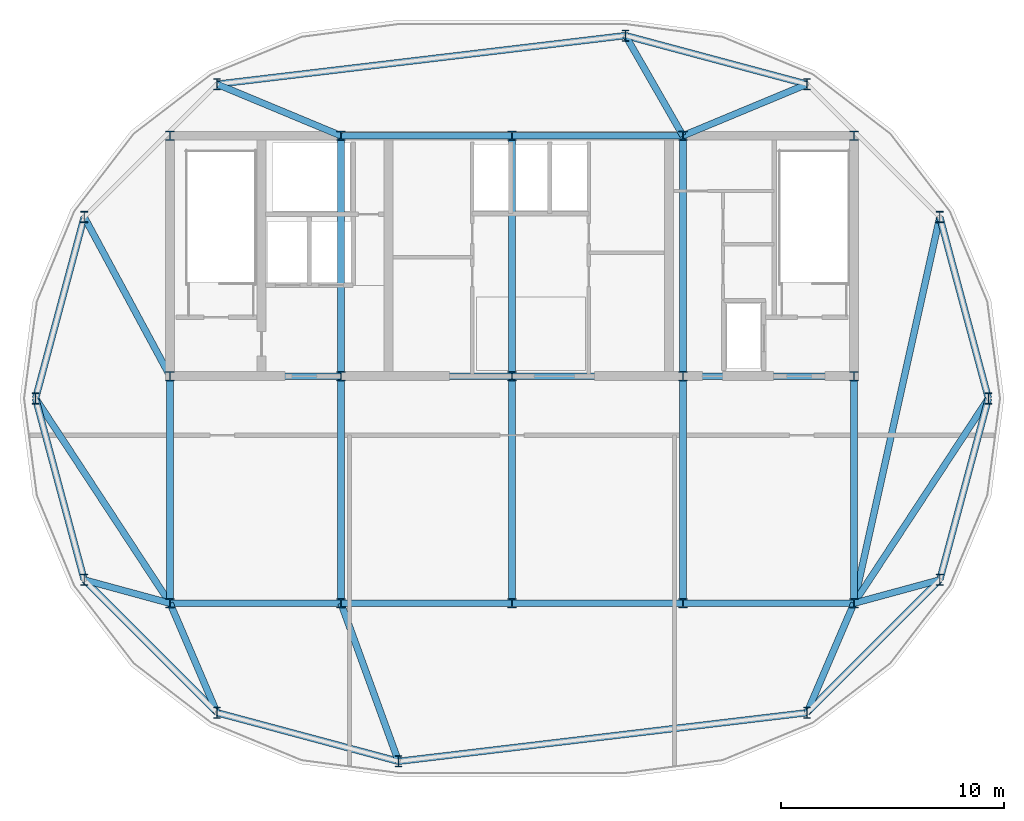
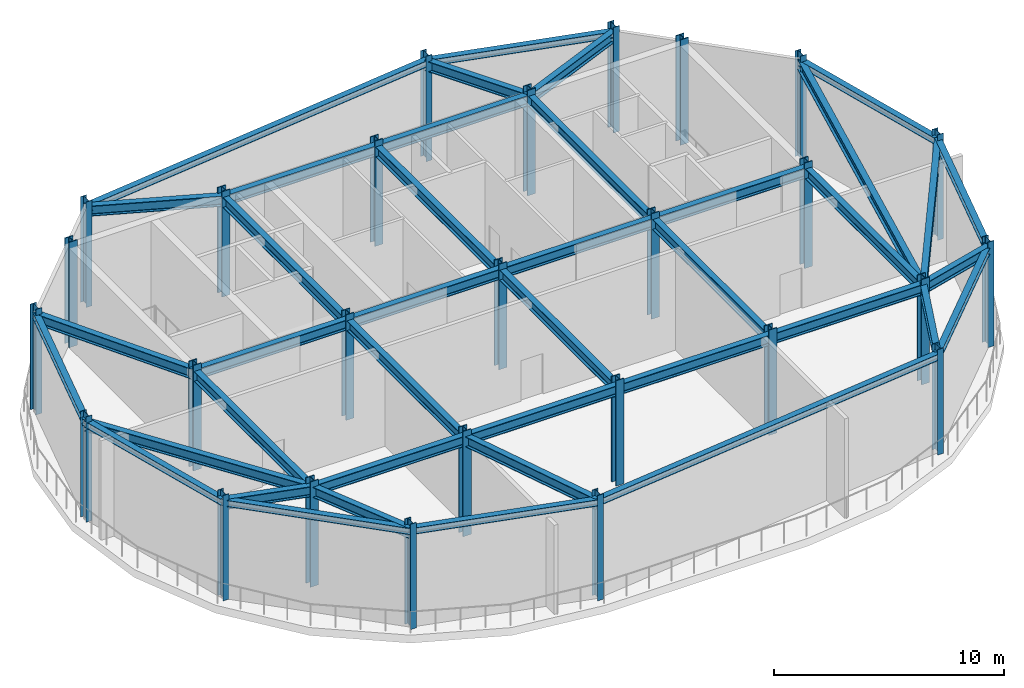
# One storey, part 1 of 5: 40 beams, 27 columns.
"""IFC4 building model written with IfcOpenShell, lengths in metres."""

from ifc_helpers import new_model, si_unit, direction, frame, origin, origin_2d, place, context, subcontext, project, spatial, i_section, extrude, material, material_profile, profile_set, type_object, element, save


model = new_model("IFC4")

# Units and contexts
model_context = context("Model", 3, precision=1e-05, world=origin(), true_north=direction((0.0, 1.0)))
body_context = subcontext(model_context, "Body", "Model", "MODEL_VIEW")
ifc_project = project(units=[si_unit("LENGTHUNIT", "METRE"), si_unit("AREAUNIT", "SQUARE_METRE"), si_unit("VOLUMEUNIT", "CUBIC_METRE"), si_unit("PLANEANGLEUNIT", "RADIAN"), si_unit("MASSUNIT", "GRAM", prefix="KILO")], contexts=[model_context])

# Site, building, storey
site_placement = place(None, origin())
site = spatial("IfcSite", under=ifc_project, at=site_placement, CompositionType="ELEMENT")
building_placement = place(site_placement, origin())
building = spatial("IfcBuilding", under=site, at=building_placement, Name="Yelkora Congress Tower", CompositionType="ELEMENT")
storey_placement = place(building_placement, frame((0.0, 0.0, 304.39990234375)))
storey = spatial("IfcBuildingStorey", under=building, at=storey_placement, Name="L85", CompositionType="ELEMENT", Elevation=304.39990234375)

# Columns
ifc_material_1 = material(Name="Steel S460M", Category="steel")
ifc_material_profile_1 = material_profile(ifc_material_1, i_section(OverallWidth=0.406005859375, OverallDepth=0.416015625, WebThickness=0.02978515625, FlangeThickness=0.048095703125, FilletRadius=0.014892578125, at=origin_2d()), Name="HD 400x382")
ifc_profile_set_1 = profile_set([ifc_material_profile_1], Name="Steel S460M")
column_type_1 = type_object("IfcColumnType", Name="COL-HD-382", PredefinedType="COLUMN", material=ifc_profile_set_1)
for number, where, z_axis, x_axis, name in (
    (1, (23.0400390625, 35.39990234375, 0.0), (0.0, 0.0, 1.0), (1.0, 0.0, 0.0), "L85 Mega Column MC-S1"),
    (2, (23.0400390625, 46.199951171875, 0.0), (0.0, 0.0, 1.0), (1.0, 0.0, 0.0), "L85 Mega Column MC-N1"),
    (3, (23.0400390625, 25.199951171875, 0.0), (0.0, 0.0, 1.0), (1.0, 0.0, 0.0), "L85 Mega Column MC-D1"),
    (4, (30.719970703125, 35.39990234375, 0.0), (0.0, 0.0, 1.0), (1.0, 0.0, 0.0), "L85 Mega Column MC-S2"),
    (5, (30.719970703125, 46.199951171875, 0.0), (0.0, 0.0, 1.0), (1.0, 0.0, 0.0), "L85 Mega Column MC-N2"),
    (6, (30.719970703125, 25.199951171875, 0.0), (0.0, 0.0, 1.0), (1.0, 0.0, 0.0), "L85 Mega Column MC-D2"),
    (7, (38.39990234375, 35.39990234375, 0.0), (0.0, 0.0, 1.0), (1.0, 0.0, 0.0), "L85 Mega Column MC-S3"),
    (8, (38.39990234375, 46.199951171875, 0.0), (0.0, 0.0, 1.0), (1.0, 0.0, 0.0), "L85 Mega Column MC-N3"),
    (9, (38.39990234375, 25.199951171875, 0.0), (0.0, 0.0, 1.0), (1.0, 0.0, 0.0), "L85 Mega Column MC-D3"),
    (10, (46.080078125, 35.39990234375, 0.0), (0.0, 0.0, 1.0), (1.0, 0.0, 0.0), "L85 Mega Column MC-S4"),
    (11, (46.080078125, 46.199951171875, 0.0), (0.0, 0.0, 1.0), (1.0, 0.0, 0.0), "L85 Mega Column MC-N4"),
    (12, (46.080078125, 25.199951171875, 0.0), (0.0, 0.0, 1.0), (1.0, 0.0, 0.0), "L85 Mega Column MC-D4"),
    (13, (53.760009765625, 35.39990234375, 0.0), (0.0, 0.0, 1.0), (1.0, 0.0, 0.0), "L85 Mega Column MC-S5"),
    (14, (53.760009765625, 46.199951171875, 0.0), (0.0, 0.0, 1.0), (1.0, 0.0, 0.0), "L85 Mega Column MC-N5"),
    (15, (53.760009765625, 25.199951171875, 0.0), (0.0, 0.0, 1.0), (1.0, 0.0, 0.0), "L85 Mega Column MC-D5"),
):
    element("IfcColumn", number, at=place(storey_placement, frame(where, z_axis=z_axis, x_axis=x_axis)), inside=storey, type_object=column_type_1, Name=name, PredefinedType="COLUMN", context=body_context, shape_type="SweptSolid", body=[
        extrude(i_section(OverallWidth=0.406005859375, OverallDepth=0.416015625, WebThickness=0.02978515625, FlangeThickness=0.048095703125, FilletRadius=0.014892578125, at=origin_2d()), origin(), (0.0, 0.0, 1.0), 5.60009765625),
    ])
ifc_material_2 = material(Name="Steel S355J2", Category="steel")
ifc_material_profile_2 = material_profile(ifc_material_2, i_section(OverallWidth=0.300048828125, OverallDepth=0.5, WebThickness=0.014404296875, FlangeThickness=0.028076171875, FilletRadius=0.027099609375, at=origin_2d()), Name="HEB 500")
ifc_profile_set_2 = profile_set([ifc_material_profile_2], Name="Steel S355J2")
column_type_2 = type_object("IfcColumnType", Name="COL-HEB-500-EXT", PredefinedType="COLUMN", material=ifc_profile_set_2)
for number, where, z_axis, x_axis, name in (
    (16, (59.800048828125, 34.39990234375, 0.0), (0.0, 0.0, 1.0), (1.0, 0.0, 0.0), "L85 Perimeter Column CRN-C01"),
    (17, (57.6162109375, 42.550048828125, 0.0), (0.0, 0.0, 1.0), (1.0, 0.0, 0.0), "L85 Perimeter Column CRN-C02"),
    (18, (51.64990234375, 48.51611328125, 0.0), (0.0, 0.0, 1.0), (1.0, 0.0, 0.0), "L85 Perimeter Column CRN-C03"),
    (19, (43.5, 50.699951171875, 0.0), (0.0, 0.0, 1.0), (1.0, 0.0, 0.0), "L85 Perimeter Column CRN-C04"),
    (20, (25.14990234375, 48.51611328125, 0.0), (0.0, 0.0, 1.0), (1.0, 0.0, 0.0), "L85 Perimeter Column CRN-C05"),
    (21, (19.183837890625, 42.550048828125, 0.0), (0.0, 0.0, 1.0), (1.0, 0.0, 0.0), "L85 Perimeter Column CRN-C06"),
    (22, (17.0, 34.39990234375, 0.0), (0.0, 0.0, 1.0), (1.0, 0.0, 0.0), "L85 Perimeter Column CRN-C07"),
    (23, (19.183837890625, 26.25, 0.0), (0.0, 0.0, 1.0), (1.0, 0.0, 0.0), "L85 Perimeter Column CRN-C08"),
    (24, (25.14990234375, 20.28369140625, 0.0), (0.0, 0.0, 1.0), (1.0, 0.0, 0.0), "L85 Perimeter Column CRN-C09"),
    (25, (33.300048828125, 18.10009765625, 0.0), (0.0, 0.0, 1.0), (1.0, 0.0, 0.0), "L85 Perimeter Column CRN-C10"),
    (26, (51.64990234375, 20.28369140625, 0.0), (0.0, 0.0, 1.0), (1.0, 0.0, 0.0), "L85 Perimeter Column CRN-C11"),
    (27, (57.6162109375, 26.25, 0.0), (0.0, 0.0, 1.0), (1.0, 0.0, 0.0), "L85 Perimeter Column CRN-C12"),
):
    element("IfcColumn", number, at=place(storey_placement, frame(where, z_axis=z_axis, x_axis=x_axis)), inside=storey, type_object=column_type_2, Name=name, PredefinedType="COLUMN", context=body_context, shape_type="SweptSolid", body=[
        extrude(i_section(OverallWidth=0.300048828125, OverallDepth=0.5, WebThickness=0.014404296875, FlangeThickness=0.028076171875, FilletRadius=0.027099609375, at=origin_2d()), origin(), (0.0, 0.0, 1.0), 5.60009765625),
    ])

# Beams
ifc_material_profile_3 = material_profile(ifc_material_2, i_section(OverallWidth=0.300048828125, OverallDepth=0.550048828125, WebThickness=0.014892578125, FlangeThickness=0.029052734375, FilletRadius=0.027099609375, at=origin_2d()), Name="HEB 550")
ifc_profile_set_3 = profile_set([ifc_material_profile_3], Name="Steel S355J2")
beam_type_1 = type_object("IfcBeamType", Name="BM-GIRD-HEB550", PredefinedType="BEAM", material=ifc_profile_set_3)
for number, where, z_axis, x_axis, name in (
    (28, (23.0400390625, 25.199951171875, 5.005126953125), (1.0, 0.0, 0.0), (0.0, 1.0, 0.0), "L85 Spine Grid D Girder 1"),
    (29, (30.719970703125, 25.199951171875, 5.005126953125), (1.0, 0.0, 0.0), (0.0, 1.0, 0.0), "L85 Spine Grid D Girder 2"),
):
    element("IfcBeam", number, at=place(storey_placement, frame(where, z_axis=z_axis, x_axis=x_axis)), inside=storey, type_object=beam_type_1, Name=name, PredefinedType="BEAM", context=body_context, shape_type="SweptSolid", body=[
        extrude(i_section(OverallWidth=0.300048828125, OverallDepth=0.550048828125, WebThickness=0.014892578125, FlangeThickness=0.029052734375, FilletRadius=0.027099609375, at=origin_2d()), origin(), (0.0, 0.0, 1.0), 7.679931640625),
    ])
beam_1_placement = place(storey_placement, frame((38.39990234375, 25.199951171875, 5.005126953125), z_axis=(1.0, 0.0, 0.0), x_axis=(0.0, 1.0, 0.0)))
element("IfcBeam", 30, at=beam_1_placement, inside=storey, type_object=beam_type_1, Name="L85 Spine Grid D Girder 3", PredefinedType="BEAM", context=body_context, shape_type="SweptSolid", body=[
    extrude(i_section(OverallWidth=0.300048828125, OverallDepth=0.550048828125, WebThickness=0.014892578125, FlangeThickness=0.029052734375, FilletRadius=0.027099609375, at=origin_2d()), origin(), (0.0, 0.0, 1.0), 7.68017578125),
])
for number, where, z_axis, x_axis, name in (
    (31, (46.080078125, 25.199951171875, 5.005126953125), (1.0, 0.0, 0.0), (0.0, 1.0, 0.0), "L85 Spine Grid D Girder 4"),
    (32, (30.719970703125, 46.199951171875, 5.005126953125), (1.0, 0.0, 0.0), (0.0, 1.0, 0.0), "L85 Core North Girder 2"),
):
    element("IfcBeam", number, at=place(storey_placement, frame(where, z_axis=z_axis, x_axis=x_axis)), inside=storey, type_object=beam_type_1, Name=name, PredefinedType="BEAM", context=body_context, shape_type="SweptSolid", body=[
        extrude(i_section(OverallWidth=0.300048828125, OverallDepth=0.550048828125, WebThickness=0.014892578125, FlangeThickness=0.029052734375, FilletRadius=0.027099609375, at=origin_2d()), origin(), (0.0, 0.0, 1.0), 7.679931640625),
    ])
beam_2_placement = place(storey_placement, frame((38.39990234375, 46.199951171875, 5.005126953125), z_axis=(1.0, 0.0, 0.0), x_axis=(0.0, 1.0, 0.0)))
element("IfcBeam", 33, at=beam_2_placement, inside=storey, type_object=beam_type_1, Name="L85 Core North Girder 3", PredefinedType="BEAM", context=body_context, shape_type="SweptSolid", body=[
    extrude(i_section(OverallWidth=0.300048828125, OverallDepth=0.550048828125, WebThickness=0.014892578125, FlangeThickness=0.029052734375, FilletRadius=0.027099609375, at=origin_2d()), origin(), (0.0, 0.0, 1.0), 7.68017578125),
])
for number, where, z_axis, x_axis, name in (
    (34, (23.0400390625, 35.39990234375, 5.005126953125), (1.0, 0.0, 0.0), (0.0, 1.0, 0.0), "L85 Core South Girder 1"),
    (35, (30.719970703125, 35.39990234375, 5.005126953125), (1.0, 0.0, 0.0), (0.0, 1.0, 0.0), "L85 Core South Girder 2"),
):
    element("IfcBeam", number, at=place(storey_placement, frame(where, z_axis=z_axis, x_axis=x_axis)), inside=storey, type_object=beam_type_1, Name=name, PredefinedType="BEAM", context=body_context, shape_type="SweptSolid", body=[
        extrude(i_section(OverallWidth=0.300048828125, OverallDepth=0.550048828125, WebThickness=0.014892578125, FlangeThickness=0.029052734375, FilletRadius=0.027099609375, at=origin_2d()), origin(), (0.0, 0.0, 1.0), 7.679931640625),
    ])
beam_3_placement = place(storey_placement, frame((38.39990234375, 35.39990234375, 5.005126953125), z_axis=(1.0, 0.0, 0.0), x_axis=(0.0, 1.0, 0.0)))
element("IfcBeam", 36, at=beam_3_placement, inside=storey, type_object=beam_type_1, Name="L85 Core South Girder 3", PredefinedType="BEAM", context=body_context, shape_type="SweptSolid", body=[
    extrude(i_section(OverallWidth=0.300048828125, OverallDepth=0.550048828125, WebThickness=0.014892578125, FlangeThickness=0.029052734375, FilletRadius=0.027099609375, at=origin_2d()), origin(), (0.0, 0.0, 1.0), 7.68017578125),
])
beam_4_placement = place(storey_placement, frame((46.080078125, 35.39990234375, 5.005126953125), z_axis=(1.0, 0.0, 0.0), x_axis=(0.0, 1.0, 0.0)))
element("IfcBeam", 37, at=beam_4_placement, inside=storey, type_object=beam_type_1, Name="L85 Core South Girder 4", PredefinedType="BEAM", context=body_context, shape_type="SweptSolid", body=[
    extrude(i_section(OverallWidth=0.300048828125, OverallDepth=0.550048828125, WebThickness=0.014892578125, FlangeThickness=0.029052734375, FilletRadius=0.027099609375, at=origin_2d()), origin(), (0.0, 0.0, 1.0), 7.679931640625),
])
for number, where, z_axis, x_axis, name in (
    (38, (23.0400390625, 25.199951171875, 5.005126953125), (0.0, 1.0, 0.0), (-1.0, 0.0, 0.0), "L85 Core Tie Girder MC-D1"),
    (39, (30.719970703125, 25.199951171875, 5.005126953125), (0.0, 1.0, 0.0), (-1.0, 0.0, 0.0), "L85 Core Tie Girder MC-D2"),
):
    element("IfcBeam", number, at=place(storey_placement, frame(where, z_axis=z_axis, x_axis=x_axis)), inside=storey, type_object=beam_type_1, Name=name, PredefinedType="BEAM", context=body_context, shape_type="SweptSolid", body=[
        extrude(i_section(OverallWidth=0.300048828125, OverallDepth=0.550048828125, WebThickness=0.014892578125, FlangeThickness=0.029052734375, FilletRadius=0.027099609375, at=origin_2d()), origin(), (0.0, 0.0, 1.0), 10.199951171875),
    ])
beam_5_placement = place(storey_placement, frame((30.719970703125, 35.39990234375, 5.005126953125), z_axis=(0.0, 1.0, 0.0), x_axis=(-1.0, 0.0, 0.0)))
element("IfcBeam", 40, at=beam_5_placement, inside=storey, type_object=beam_type_1, Name="L85 Core Tie Girder MC-S2", PredefinedType="BEAM", context=body_context, shape_type="SweptSolid", body=[
    extrude(i_section(OverallWidth=0.300048828125, OverallDepth=0.550048828125, WebThickness=0.014892578125, FlangeThickness=0.029052734375, FilletRadius=0.027099609375, at=origin_2d()), origin(), (0.0, 0.0, 1.0), 10.800048828125),
])
beam_6_placement = place(storey_placement, frame((38.39990234375, 25.199951171875, 5.005126953125), z_axis=(0.0, 1.0, 0.0), x_axis=(-1.0, 0.0, 0.0)))
element("IfcBeam", 41, at=beam_6_placement, inside=storey, type_object=beam_type_1, Name="L85 Core Tie Girder MC-D3", PredefinedType="BEAM", context=body_context, shape_type="SweptSolid", body=[
    extrude(i_section(OverallWidth=0.300048828125, OverallDepth=0.550048828125, WebThickness=0.014892578125, FlangeThickness=0.029052734375, FilletRadius=0.027099609375, at=origin_2d()), origin(), (0.0, 0.0, 1.0), 10.199951171875),
])
beam_7_placement = place(storey_placement, frame((38.39990234375, 35.39990234375, 5.005126953125), z_axis=(0.0, 1.0, 0.0), x_axis=(-1.0, 0.0, 0.0)))
element("IfcBeam", 42, at=beam_7_placement, inside=storey, type_object=beam_type_1, Name="L85 Core Tie Girder MC-S3", PredefinedType="BEAM", context=body_context, shape_type="SweptSolid", body=[
    extrude(i_section(OverallWidth=0.300048828125, OverallDepth=0.550048828125, WebThickness=0.014892578125, FlangeThickness=0.029052734375, FilletRadius=0.027099609375, at=origin_2d()), origin(), (0.0, 0.0, 1.0), 10.800048828125),
])
beam_8_placement = place(storey_placement, frame((46.080078125, 25.199951171875, 5.005126953125), z_axis=(0.0, 1.0, 0.0), x_axis=(-1.0, 0.0, 0.0)))
element("IfcBeam", 43, at=beam_8_placement, inside=storey, type_object=beam_type_1, Name="L85 Core Tie Girder MC-D4", PredefinedType="BEAM", context=body_context, shape_type="SweptSolid", body=[
    extrude(i_section(OverallWidth=0.300048828125, OverallDepth=0.550048828125, WebThickness=0.014892578125, FlangeThickness=0.029052734375, FilletRadius=0.027099609375, at=origin_2d()), origin(), (0.0, 0.0, 1.0), 10.199951171875),
])
beam_9_placement = place(storey_placement, frame((46.080078125, 35.39990234375, 5.005126953125), z_axis=(0.0, 1.0, 0.0), x_axis=(-1.0, 0.0, 0.0)))
element("IfcBeam", 44, at=beam_9_placement, inside=storey, type_object=beam_type_1, Name="L85 Core Tie Girder MC-S4", PredefinedType="BEAM", context=body_context, shape_type="SweptSolid", body=[
    extrude(i_section(OverallWidth=0.300048828125, OverallDepth=0.550048828125, WebThickness=0.014892578125, FlangeThickness=0.029052734375, FilletRadius=0.027099609375, at=origin_2d()), origin(), (0.0, 0.0, 1.0), 10.800048828125),
])
beam_10_placement = place(storey_placement, frame((53.760009765625, 25.199951171875, 5.005126953125), z_axis=(0.0, 1.0, 0.0), x_axis=(-1.0, 0.0, 0.0)))
element("IfcBeam", 45, at=beam_10_placement, inside=storey, type_object=beam_type_1, Name="L85 Core Tie Girder MC-D5", PredefinedType="BEAM", context=body_context, shape_type="SweptSolid", body=[
    extrude(i_section(OverallWidth=0.300048828125, OverallDepth=0.550048828125, WebThickness=0.014892578125, FlangeThickness=0.029052734375, FilletRadius=0.027099609375, at=origin_2d()), origin(), (0.0, 0.0, 1.0), 10.199951171875),
])
beam_11_placement = place(storey_placement, frame((59.800048828125, 34.39990234375, 5.005126953125), z_axis=(-0.54881972579, -0.835940732698, 0.0), x_axis=(0.835940732698, -0.54881972579, 0.0)))
element("IfcBeam", 46, at=beam_11_placement, inside=storey, type_object=beam_type_1, Name="L85 Primary Frame Girder CRN-C01", PredefinedType="BEAM", context=body_context, shape_type="SweptSolid", body=[
    extrude(i_section(OverallWidth=0.300048828125, OverallDepth=0.550048828125, WebThickness=0.014892578125, FlangeThickness=0.029052734375, FilletRadius=0.027099609375, at=origin_2d()), origin(), (0.0, 0.0, 1.0), 11.005615234375),
])
beam_12_placement = place(storey_placement, frame((57.6162109375, 42.550048828125, 5.005126953125), z_axis=(-0.216963909476, -0.976179625881, 0.0), x_axis=(0.976179625881, -0.216963909476, 0.0)))
element("IfcBeam", 47, at=beam_12_placement, inside=storey, type_object=beam_type_1, Name="L85 Primary Frame Girder CRN-C02", PredefinedType="BEAM", context=body_context, shape_type="SweptSolid", body=[
    extrude(i_section(OverallWidth=0.300048828125, OverallDepth=0.550048828125, WebThickness=0.014892578125, FlangeThickness=0.029052734375, FilletRadius=0.027099609375, at=origin_2d()), origin(), (0.0, 0.0, 1.0), 17.7734375),
])
beam_13_placement = place(storey_placement, frame((51.64990234375, 48.51611328125, 5.005126953125), z_axis=(-0.923347311784, -0.38396580814, 0.0), x_axis=(0.38396580814, -0.923347311784, 0.0)))
element("IfcBeam", 48, at=beam_13_placement, inside=storey, type_object=beam_type_1, Name="L85 Primary Frame Girder CRN-C03", PredefinedType="BEAM", context=body_context, shape_type="SweptSolid", body=[
    extrude(i_section(OverallWidth=0.300048828125, OverallDepth=0.550048828125, WebThickness=0.014892578125, FlangeThickness=0.029052734375, FilletRadius=0.027099609375, at=origin_2d()), origin(), (0.0, 0.0, 1.0), 6.0322265625),
])
beam_14_placement = place(storey_placement, frame((43.5, 50.699951171875, 5.005126953125), z_axis=(0.497395447581, -0.867523929771, 0.0), x_axis=(0.867523929771, 0.497395447581, 0.0)))
element("IfcBeam", 49, at=beam_14_placement, inside=storey, type_object=beam_type_1, Name="L85 Primary Frame Girder CRN-C04", PredefinedType="BEAM", context=body_context, shape_type="SweptSolid", body=[
    extrude(i_section(OverallWidth=0.300048828125, OverallDepth=0.550048828125, WebThickness=0.014892578125, FlangeThickness=0.029052734375, FilletRadius=0.027099609375, at=origin_2d()), origin(), (0.0, 0.0, 1.0), 5.187255859375),
])
beam_15_placement = place(storey_placement, frame((25.14990234375, 48.51611328125, 5.005126953125), z_axis=(0.92335327835, -0.383951459641, 0.0), x_axis=(0.383951459641, 0.92335327835, 0.0)))
element("IfcBeam", 50, at=beam_15_placement, inside=storey, type_object=beam_type_1, Name="L85 Primary Frame Girder CRN-C05", PredefinedType="BEAM", context=body_context, shape_type="SweptSolid", body=[
    extrude(i_section(OverallWidth=0.300048828125, OverallDepth=0.550048828125, WebThickness=0.014892578125, FlangeThickness=0.029052734375, FilletRadius=0.027099609375, at=origin_2d()), origin(), (0.0, 0.0, 1.0), 6.032470703125),
])
beam_16_placement = place(storey_placement, frame((19.183837890625, 42.550048828125, 5.005126953125), z_axis=(0.474683956098, -0.880156316698, 0.0), x_axis=(0.880156316698, 0.474683956098, 0.0)))
element("IfcBeam", 51, at=beam_16_placement, inside=storey, type_object=beam_type_1, Name="L85 Primary Frame Girder CRN-C06", PredefinedType="BEAM", context=body_context, shape_type="SweptSolid", body=[
    extrude(i_section(OverallWidth=0.300048828125, OverallDepth=0.550048828125, WebThickness=0.014892578125, FlangeThickness=0.029052734375, FilletRadius=0.027099609375, at=origin_2d()), origin(), (0.0, 0.0, 1.0), 8.123779296875),
])
beam_17_placement = place(storey_placement, frame((17.0, 34.39990234375, 5.005126953125), z_axis=(0.54881972579, -0.835940732698, 0.0), x_axis=(0.835940732698, 0.54881972579, 0.0)))
element("IfcBeam", 52, at=beam_17_placement, inside=storey, type_object=beam_type_1, Name="L85 Primary Frame Girder CRN-C07", PredefinedType="BEAM", context=body_context, shape_type="SweptSolid", body=[
    extrude(i_section(OverallWidth=0.300048828125, OverallDepth=0.550048828125, WebThickness=0.014892578125, FlangeThickness=0.029052734375, FilletRadius=0.027099609375, at=origin_2d()), origin(), (0.0, 0.0, 1.0), 11.005615234375),
])
beam_18_placement = place(storey_placement, frame((19.183837890625, 26.25, 5.005126953125), z_axis=(0.964868063094, -0.26273488695, 0.0), x_axis=(0.26273488695, 0.964868063094, 0.0)))
element("IfcBeam", 53, at=beam_18_placement, inside=storey, type_object=beam_type_1, Name="L85 Primary Frame Girder CRN-C08", PredefinedType="BEAM", context=body_context, shape_type="SweptSolid", body=[
    extrude(i_section(OverallWidth=0.300048828125, OverallDepth=0.550048828125, WebThickness=0.014892578125, FlangeThickness=0.029052734375, FilletRadius=0.027099609375, at=origin_2d()), origin(), (0.0, 0.0, 1.0), 3.99658203125),
])
beam_19_placement = place(storey_placement, frame((25.14990234375, 20.28369140625, 5.005126953125), z_axis=(-0.394376385181, 0.918949001203, 0.0), x_axis=(-0.918949001203, -0.394376385181, 0.0)))
element("IfcBeam", 54, at=beam_19_placement, inside=storey, type_object=beam_type_1, Name="L85 Primary Frame Girder CRN-C09", PredefinedType="BEAM", context=body_context, shape_type="SweptSolid", body=[
    extrude(i_section(OverallWidth=0.300048828125, OverallDepth=0.550048828125, WebThickness=0.014892578125, FlangeThickness=0.029052734375, FilletRadius=0.027099609375, at=origin_2d()), origin(), (0.0, 0.0, 1.0), 5.349853515625),
])
beam_20_placement = place(storey_placement, frame((33.300048828125, 18.10009765625, 5.005126953125), z_axis=(-0.341545839671, 0.939865117665, 0.0), x_axis=(-0.939865117665, -0.341545839671, 0.0)))
element("IfcBeam", 55, at=beam_20_placement, inside=storey, type_object=beam_type_1, Name="L85 Primary Frame Girder CRN-C10", PredefinedType="BEAM", context=body_context, shape_type="SweptSolid", body=[
    extrude(i_section(OverallWidth=0.300048828125, OverallDepth=0.550048828125, WebThickness=0.014892578125, FlangeThickness=0.029052734375, FilletRadius=0.027099609375, at=origin_2d()), origin(), (0.0, 0.0, 1.0), 7.55419921875),
])
beam_21_placement = place(storey_placement, frame((51.64990234375, 20.28369140625, 5.005126953125), z_axis=(0.394414921279, 0.918932462084, 0.0), x_axis=(-0.918932462084, 0.394414921279, 0.0)))
element("IfcBeam", 56, at=beam_21_placement, inside=storey, type_object=beam_type_1, Name="L85 Primary Frame Girder CRN-C11", PredefinedType="BEAM", context=body_context, shape_type="SweptSolid", body=[
    extrude(i_section(OverallWidth=0.300048828125, OverallDepth=0.550048828125, WebThickness=0.014892578125, FlangeThickness=0.029052734375, FilletRadius=0.027099609375, at=origin_2d()), origin(), (0.0, 0.0, 1.0), 5.349853515625),
])
beam_22_placement = place(storey_placement, frame((57.6162109375, 26.25, 5.005126953125), z_axis=(-0.964868063094, -0.26273488695, 0.0), x_axis=(0.26273488695, -0.964868063094, 0.0)))
element("IfcBeam", 57, at=beam_22_placement, inside=storey, type_object=beam_type_1, Name="L85 Primary Frame Girder CRN-C12", PredefinedType="BEAM", context=body_context, shape_type="SweptSolid", body=[
    extrude(i_section(OverallWidth=0.300048828125, OverallDepth=0.550048828125, WebThickness=0.014892578125, FlangeThickness=0.029052734375, FilletRadius=0.027099609375, at=origin_2d()), origin(), (0.0, 0.0, 1.0), 3.99658203125),
])
ifc_material_profile_4 = material_profile(ifc_material_2, i_section(OverallWidth=0.300048828125, OverallDepth=0.340087890625, WebThickness=0.011962890625, FlangeThickness=0.021484375, FilletRadius=0.027099609375, at=origin_2d()), Name="HEB 340")
ifc_profile_set_4 = profile_set([ifc_material_profile_4], Name="Steel S355J2")
beam_type_2 = type_object("IfcBeamType", Name="BM-SPAN-HEB340", PredefinedType="SPANDREL", material=ifc_profile_set_4)
for number, where, z_axis, x_axis, name in (
    (58, (19.183837890625, 26.25, 5.110107421875), (0.707092313381, -0.707121248696, 0.0), (0.707121248696, 0.707092313381, 0.0), "L85 Perimeter Beam 1"),
    (59, (25.14990234375, 20.28369140625, 5.110107421875), (0.965932682725, -0.25879345518, 0.0), (0.25879345518, 0.965932682725, 0.0), "L85 Perimeter Beam 2"),
):
    element("IfcBeam", number, at=place(storey_placement, frame(where, z_axis=z_axis, x_axis=x_axis)), inside=storey, type_object=beam_type_2, Name=name, PredefinedType="SPANDREL", context=body_context, shape_type="SweptSolid", body=[
        extrude(i_section(OverallWidth=0.300048828125, OverallDepth=0.340087890625, WebThickness=0.011962890625, FlangeThickness=0.021484375, FilletRadius=0.027099609375, at=origin_2d()), origin(), (0.0, 0.0, 1.0), 8.4375),
    ])
beam_23_placement = place(storey_placement, frame((33.300048828125, 18.10009765625, 5.110107421875), z_axis=(0.992994070136, 0.118164193708, 0.0), x_axis=(-0.118164193708, 0.992994070136, 0.0)))
element("IfcBeam", 60, at=beam_23_placement, inside=storey, type_object=beam_type_2, Name="L85 Perimeter Beam 3", PredefinedType="SPANDREL", context=body_context, shape_type="SweptSolid", body=[
    extrude(i_section(OverallWidth=0.300048828125, OverallDepth=0.340087890625, WebThickness=0.011962890625, FlangeThickness=0.021484375, FilletRadius=0.027099609375, at=origin_2d()), origin(), (0.0, 0.0, 1.0), 18.479248046875),
])
beam_24_placement = place(storey_placement, frame((51.64990234375, 20.28369140625, 5.110107421875), z_axis=(0.707106781187, 0.707106781187, 0.0), x_axis=(-0.707106781187, 0.707106781187, 0.0)))
element("IfcBeam", 61, at=beam_24_placement, inside=storey, type_object=beam_type_2, Name="L85 Perimeter Beam 4", PredefinedType="SPANDREL", context=body_context, shape_type="SweptSolid", body=[
    extrude(i_section(OverallWidth=0.300048828125, OverallDepth=0.340087890625, WebThickness=0.011962890625, FlangeThickness=0.021484375, FilletRadius=0.027099609375, at=origin_2d()), origin(), (0.0, 0.0, 1.0), 8.437744140625),
])
beam_25_placement = place(storey_placement, frame((57.6162109375, 26.25, 5.110107421875), z_axis=(0.258827685754, 0.965923510992, 0.0), x_axis=(-0.965923510992, 0.258827685754, 0.0)))
element("IfcBeam", 62, at=beam_25_placement, inside=storey, type_object=beam_type_2, Name="L85 Perimeter Beam 5", PredefinedType="SPANDREL", context=body_context, shape_type="SweptSolid", body=[
    extrude(i_section(OverallWidth=0.300048828125, OverallDepth=0.340087890625, WebThickness=0.011962890625, FlangeThickness=0.021484375, FilletRadius=0.027099609375, at=origin_2d()), origin(), (0.0, 0.0, 1.0), 8.4375),
])
beam_26_placement = place(storey_placement, frame((59.800048828125, 34.39990234375, 5.110107421875), z_axis=(-0.258820451859, 0.965925449349, 0.0), x_axis=(-0.965925449349, -0.258820451859, 0.0)))
element("IfcBeam", 63, at=beam_26_placement, inside=storey, type_object=beam_type_2, Name="L85 Perimeter Beam 6", PredefinedType="SPANDREL", context=body_context, shape_type="SweptSolid", body=[
    extrude(i_section(OverallWidth=0.300048828125, OverallDepth=0.340087890625, WebThickness=0.011962890625, FlangeThickness=0.021484375, FilletRadius=0.027099609375, at=origin_2d()), origin(), (0.0, 0.0, 1.0), 8.437744140625),
])
beam_27_placement = place(storey_placement, frame((51.64990234375, 48.51611328125, 5.110107421875), z_axis=(-0.965923510992, 0.258827685754, 0.0), x_axis=(-0.258827685754, -0.965923510992, 0.0)))
element("IfcBeam", 64, at=beam_27_placement, inside=storey, type_object=beam_type_2, Name="L85 Perimeter Beam 8", PredefinedType="SPANDREL", context=body_context, shape_type="SweptSolid", body=[
    extrude(i_section(OverallWidth=0.300048828125, OverallDepth=0.340087890625, WebThickness=0.011962890625, FlangeThickness=0.021484375, FilletRadius=0.027099609375, at=origin_2d()), origin(), (0.0, 0.0, 1.0), 8.4375),
])
beam_28_placement = place(storey_placement, frame((43.5, 50.699951171875, 5.110107421875), z_axis=(-0.992992704364, -0.118175670426, 0.0), x_axis=(0.118175670426, -0.992992704364, 0.0)))
element("IfcBeam", 65, at=beam_28_placement, inside=storey, type_object=beam_type_2, Name="L85 Perimeter Beam 9", PredefinedType="SPANDREL", context=body_context, shape_type="SweptSolid", body=[
    extrude(i_section(OverallWidth=0.300048828125, OverallDepth=0.340087890625, WebThickness=0.011962890625, FlangeThickness=0.021484375, FilletRadius=0.027099609375, at=origin_2d()), origin(), (0.0, 0.0, 1.0), 18.4794921875),
])
beam_29_placement = place(storey_placement, frame((19.183837890625, 42.550048828125, 5.110107421875), z_axis=(-0.258820451859, -0.965925449349, 0.0), x_axis=(0.965925449349, -0.258820451859, 0.0)))
element("IfcBeam", 66, at=beam_29_placement, inside=storey, type_object=beam_type_2, Name="L85 Perimeter Beam 11", PredefinedType="SPANDREL", context=body_context, shape_type="SweptSolid", body=[
    extrude(i_section(OverallWidth=0.300048828125, OverallDepth=0.340087890625, WebThickness=0.011962890625, FlangeThickness=0.021484375, FilletRadius=0.027099609375, at=origin_2d()), origin(), (0.0, 0.0, 1.0), 8.437744140625),
])
beam_30_placement = place(storey_placement, frame((17.0, 34.39990234375, 5.110107421875), z_axis=(0.258827685754, -0.965923510992, 0.0), x_axis=(0.965923510992, 0.258827685754, 0.0)))
element("IfcBeam", 67, at=beam_30_placement, inside=storey, type_object=beam_type_2, Name="L85 Perimeter Beam 12", PredefinedType="SPANDREL", context=body_context, shape_type="SweptSolid", body=[
    extrude(i_section(OverallWidth=0.300048828125, OverallDepth=0.340087890625, WebThickness=0.011962890625, FlangeThickness=0.021484375, FilletRadius=0.027099609375, at=origin_2d()), origin(), (0.0, 0.0, 1.0), 8.4375),
])

save(model, "model.ifc")
